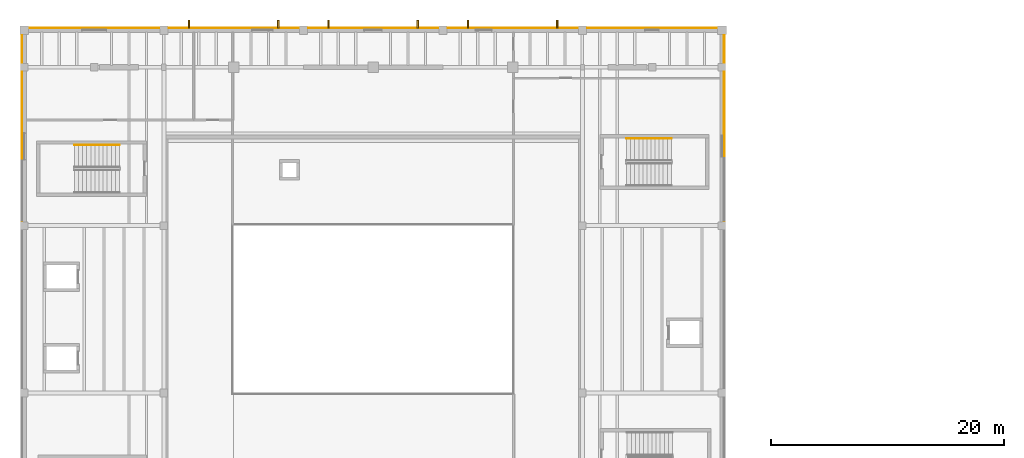
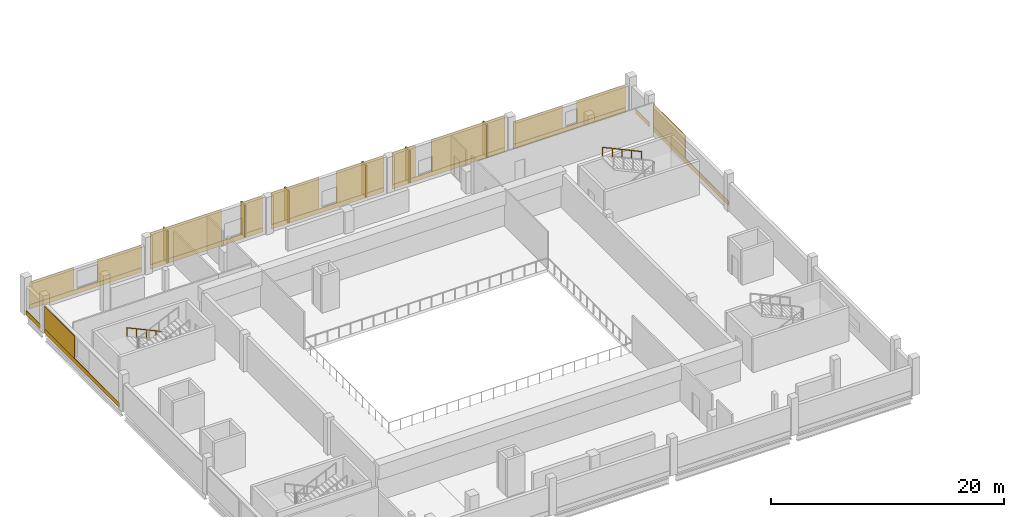
# One storey, part 17 of 19: 27 coverings, 6 shading devices, 2 railings.
"""IFC4 building model written with IfcOpenShell, lengths in metres."""

import ifcopenshell
import ifcopenshell.guid

model = None  # the IFC model being written
_history = None  # IfcOwnerHistory: only IFC2X3 demands one
_inside = {}  # id of a spatial element -> (the spatial element, [elements in it])
_under = {}  # id of a project, library or spatial element -> (it, [spatial elements below it])
_declared = {}  # id of a project -> (the project, [libraries it declares])
_typed = {}  # id of a type object -> (the type object, [elements of that type])
_made_of = {}  # id of a material, layer set ... -> (it, [elements and type objects made of it])


def new_model(schema):
    """Start an empty IFC model of exactly this schema.

    Asked for "IFC4X3", IfcOpenShell would pick the latest addendum, in which some entities
    have other attributes; the version numbers below select the first issue.
    IFC2X3 requires an IfcOwnerHistory on every rooted entity: one is made here for all.
    """
    global model, _history
    if schema == "IFC4X3":
        model = ifcopenshell.file(schema_version=(4, 3, 0, 0))
    else:
        model = ifcopenshell.file(schema=schema)
    _inside.clear()
    _under.clear()
    _declared.clear()
    _typed.clear()
    _made_of.clear()
    _history = None
    if model.schema == "IFC2X3":
        org = make("IfcOrganization", Name="unknown")
        user = make(
            "IfcPersonAndOrganization",
            ThePerson=make("IfcPerson", FamilyName="unknown"),
            TheOrganization=org,
        )
        app = make(
            "IfcApplication",
            ApplicationDeveloper=org,
            Version="unknown",
            ApplicationFullName="unknown",
            ApplicationIdentifier="unknown",
        )
        _history = make(
            "IfcOwnerHistory",
            OwningUser=user,
            OwningApplication=app,
            ChangeAction="ADDED",
            CreationDate=0,
        )
    return model


def make(cls, **values):
    """One entity of the class cls with the attributes given. An attribute that is None is left unset."""
    return model.create_entity(
        cls, **{name: value for name, value in values.items() if value is not None}
    )


def rooted(cls, **values):
    """An entity with a GlobalId (a new one), such as an element, a storey or a relation."""
    return make(cls, GlobalId=ifcopenshell.guid.new(), OwnerHistory=_history, **values)


def si_unit(unit_type, name, prefix=None):
    """IfcSIUnit, for example si_unit("LENGTHUNIT", "METRE", prefix="MILLI")."""
    return make("IfcSIUnit", UnitType=unit_type, Prefix=prefix, Name=name)


def assignment(units):
    """IfcUnitAssignment: the units of a project."""
    return None if units is None else make("IfcUnitAssignment", Units=units)


def point(xyz):
    """IfcCartesianPoint."""
    return None if xyz is None else make("IfcCartesianPoint", Coordinates=xyz)


def direction(xyz):
    """IfcDirection."""
    return None if xyz is None else make("IfcDirection", DirectionRatios=xyz)


def frame(location, z_axis=None, x_axis=None):
    """IfcAxis2Placement3D, a coordinate frame: its origin and axes. An axis left out is left unset."""
    return make(
        "IfcAxis2Placement3D",
        Location=point(location),
        Axis=direction(z_axis),
        RefDirection=direction(x_axis),
    )


def frame_2d(location, x_axis=None):
    """IfcAxis2Placement2D, a coordinate frame in the plane: its origin and x axis."""
    return make(
        "IfcAxis2Placement2D", Location=point(location), RefDirection=direction(x_axis)
    )


def origin():
    """The frame at (0, 0, 0) with its axes left unset."""
    return frame((0.0, 0.0, 0.0))


def origin_2d():
    """The frame at (0, 0) in the plane with its x axis left unset."""
    return frame_2d((0.0, 0.0))


def place(relative_to, where):
    """IfcLocalPlacement: puts the frame where relative to a parent placement (None: the world)."""
    return make(
        "IfcLocalPlacement", PlacementRelTo=relative_to, RelativePlacement=where
    )


def context(
    kind, dimensions, precision=None, world=None, true_north=None, identifier=None
):
    """IfcGeometricRepresentationContext, for example the 3D "Model" context."""
    return make(
        "IfcGeometricRepresentationContext",
        ContextIdentifier=identifier,
        ContextType=kind,
        CoordinateSpaceDimension=dimensions,
        Precision=precision,
        WorldCoordinateSystem=world,
        TrueNorth=true_north,
    )


def subcontext(parent, identifier, kind, view, scale=None):
    """IfcGeometricRepresentationSubContext, for example "Body" below "Model"."""
    return make(
        "IfcGeometricRepresentationSubContext",
        ContextIdentifier=identifier,
        ContextType=kind,
        ParentContext=parent,
        TargetScale=scale,
        TargetView=view,
    )


def project(units=None, contexts=None):
    """IfcProject with its units and contexts."""
    return rooted(
        "IfcProject",
        Name="project",
        RepresentationContexts=contexts,
        UnitsInContext=assignment(units),
    )


def spatial(cls, under=None, at=None, **own):
    """A site, building, storey or space (cls), placed at a placement, below another one or the project."""
    s = rooted(cls, ObjectPlacement=at, **own)
    if under is not None:
        _under.setdefault(under.id(), (under, []))[1].append(s)
    return s


def profile(cls, at=None, kind="AREA", **sizes):
    """A parametric profile (cls). Its sizes go by their IFC names, for example OverallWidth=200.0."""
    return make(cls, ProfileType=kind, Position=at, **sizes)


def rectangle(**sizes):
    """IfcRectangleProfileDef."""
    return profile("IfcRectangleProfileDef", **sizes)


def circle(**sizes):
    """IfcCircleProfileDef."""
    return profile("IfcCircleProfileDef", **sizes)


def extrude(swept, where, along, depth):
    """IfcExtrudedAreaSolid: the profile swept, set in the frame where, extruded along a direction by depth."""
    return make(
        "IfcExtrudedAreaSolid",
        SweptArea=swept,
        Position=where,
        ExtrudedDirection=direction(along),
        Depth=depth,
    )


def shape(context_of_items, identifier, shape_type, items):
    """IfcShapeRepresentation: the items that make up one representation, for example the "Body"."""
    return make(
        "IfcShapeRepresentation",
        ContextOfItems=context_of_items,
        RepresentationIdentifier=identifier,
        RepresentationType=shape_type,
        Items=items,
    )


def material(Name=None, Category=None):
    """IfcMaterial."""
    return make("IfcMaterial", Name=Name, Category=Category)


def layer(
    of_material, thickness, ventilated=None, Name=None, Category=None, Priority=None
):
    """IfcMaterialLayer: one layer of a wall or slab, of a material (None: an air gap)."""
    return make(
        "IfcMaterialLayer",
        Material=of_material,
        LayerThickness=thickness,
        IsVentilated=ventilated,
        Name=Name,
        Category=Category,
        Priority=Priority,
    )


def layer_set(layers, Name=None):
    """IfcMaterialLayerSet."""
    return make("IfcMaterialLayerSet", MaterialLayers=layers, LayerSetName=Name)


def made_of(thing, what):
    """Note that an element or type object is made of a material, layer set ...; save() writes the relation."""
    if what is not None:
        _made_of.setdefault(what.id(), (what, []))[1].append(thing)
    return thing


def type_object(cls, material=None, **own):
    """A type object (cls), such as IfcWallType, which elements share."""
    return made_of(rooted(cls, **own), material)


def element(
    cls,
    number,
    at=None,
    inside=None,
    cuts=None,
    type_object=None,
    material=None,
    context=None,
    identifier="Body",
    shape_type=None,
    held_by="IfcProductDefinitionShape",
    body=None,
    shapes=None,
    **own,
):
    """One element of the class cls, such as IfcWall. Its Tag is "e" and its number.

    at: its placement. inside: the storey or other place that contains it. cuts: it is an
    opening in that element (IfcRelVoidsElement). A single representation is given by context,
    identifier, shape_type and body (its items); several are given by shapes. held_by: the class
    of the entity that holds the representations. save() writes the other relations.
    """
    e = rooted(cls, Tag="e%d" % number, ObjectPlacement=at, **own)
    if body is not None:
        shapes = [shape(context, identifier, shape_type, body)]
    if shapes is not None:
        e.Representation = make(held_by, Representations=shapes)
    if inside is not None:
        _inside.setdefault(inside.id(), (inside, []))[1].append(e)
    if cuts is not None:
        rooted(
            "IfcRelVoidsElement", RelatingBuildingElement=cuts, RelatedOpeningElement=e
        )
    if type_object is not None:
        _typed.setdefault(type_object.id(), (type_object, []))[1].append(e)
    return made_of(e, material)


def aggregate(whole, parts):
    """IfcRelAggregates: a whole, such as a stair, and the parts it consists of."""
    return rooted("IfcRelAggregates", RelatingObject=whole, RelatedObjects=parts)


def save(model, path):
    """Write the relations noted so far, then the file.

    IfcRelAggregates (storeys below a building ...), IfcRelContainedInSpatialStructure (elements
    in a storey), IfcRelDefinesByType, IfcRelAssociatesMaterial and IfcRelDeclares: one each for
    every whole, place, type object, material and project.
    """
    for whole, parts in _under.values():
        aggregate(whole, parts)
    for where, things in _inside.values():
        rooted(
            "IfcRelContainedInSpatialStructure",
            RelatedElements=things,
            RelatingStructure=where,
        )
    for kind, things in _typed.values():
        rooted("IfcRelDefinesByType", RelatedObjects=things, RelatingType=kind)
    for what, things in _made_of.values():
        rooted("IfcRelAssociatesMaterial", RelatedObjects=things, RelatingMaterial=what)
    for by, libraries in _declared.values():
        rooted("IfcRelDeclares", RelatingContext=by, RelatedDefinitions=libraries)
    model.write(path)


model = new_model("IFC4")

# Units and contexts
model_context = context("Model", 3, precision=1e-05, world=origin(), true_north=direction((0.0, 1.0)))
body_context = subcontext(model_context, "Body", "Model", "MODEL_VIEW")
ifc_project = project(units=[si_unit("LENGTHUNIT", "METRE"), si_unit("AREAUNIT", "SQUARE_METRE"), si_unit("VOLUMEUNIT", "CUBIC_METRE"), si_unit("PLANEANGLEUNIT", "RADIAN"), si_unit("MASSUNIT", "GRAM", prefix="KILO")], contexts=[model_context])

# Site, building, storey
site_placement = place(None, origin())
site = spatial("IfcSite", under=ifc_project, at=site_placement, CompositionType="ELEMENT")
building_placement = place(site_placement, origin())
building = spatial("IfcBuilding", under=site, at=building_placement, Name="Kelmvaro Bay Concert Hall", CompositionType="ELEMENT")
storey_placement = place(building_placement, frame((0.0, 0.0, 18.300048828125)))
storey = spatial("IfcBuildingStorey", under=building, at=storey_placement, Name="L04", CompositionType="ELEMENT", Elevation=18.300048828125)

# Shading devices
ifc_material_1 = material(Name="Anodised Extruded Aluminium 6063-T6", Category="aluminium")
ifc_layer_1 = layer(ifc_material_1, 3.39990234375)
ifc_layer_set_1 = layer_set([ifc_layer_1], Name="Anodised Extruded Aluminium 6063-T6")
shading_device_type = type_object("IfcShadingDeviceType", Name="Bauhaus Vertical Solar Brise-Soleil Fin 720x3400", PredefinedType="SHUTTER", material=ifc_layer_set_1)
for number, where, z_axis, x_axis, name in (
    (1, (14.157958984375, 114.52587890625, 0.06005859375), (0.0, 0.0, 1.0), (1.0, 0.0, 0.0), "L04 Solar Brise-Soleil Fin 038"),
    (2, (21.842041015625, 114.52587890625, 0.06005859375), (0.0, 0.0, 1.0), (1.0, 0.0, 0.0), "L04 Solar Brise-Soleil Fin 039"),
    (3, (26.157958984375, 114.52587890625, 0.06005859375), (0.0, 0.0, 1.0), (1.0, 0.0, 0.0), "L04 Solar Brise-Soleil Fin 040"),
    (4, (33.842041015625, 114.52587890625, 0.06005859375), (0.0, 0.0, 1.0), (1.0, 0.0, 0.0), "L04 Solar Brise-Soleil Fin 041"),
    (5, (38.157958984375, 114.52587890625, 0.06005859375), (0.0, 0.0, 1.0), (1.0, 0.0, 0.0), "L04 Solar Brise-Soleil Fin 042"),
    (6, (45.842041015625, 114.52587890625, 0.06005859375), (0.0, 0.0, 1.0), (1.0, 0.0, 0.0), "L04 Solar Brise-Soleil Fin 043"),
):
    element("IfcShadingDevice", number, at=place(storey_placement, frame(where, z_axis=z_axis, x_axis=x_axis)), inside=storey, type_object=shading_device_type, Name=name, PredefinedType="SHUTTER", context=body_context, shape_type="SweptSolid", body=[
        extrude(rectangle(XDim=0.159912109375, YDim=0.719970703125, at=origin_2d()), origin(), (0.0, 0.0, 1.0), 3.39990234375),
    ])

# Coverings
ifc_material_2 = material(Name="PVDF-Coated Architectural Aluminium", Category="aluminium")
ifc_layer_2 = layer(ifc_material_2, 0.0400390625)
ifc_layer_set_2 = layer_set([ifc_layer_2], Name="PVDF-Coated Architectural Aluminium")
covering_type_1 = type_object("IfcCoveringType", Name="De Stijl Enamelled Aluminium Fascia Panel 40", PredefinedType="CLADDING", material=ifc_layer_set_2)
for number, where, z_axis, x_axis, name in (
    (7, (14.157958984375, 114.52587890625, 0.06005859375), (0.0, 0.0, 1.0), (1.0, 0.0, 0.0), "L04 Architectural Vertical Fin Cladding 0150"),
    (8, (21.842041015625, 114.52587890625, 0.06005859375), (0.0, 0.0, 1.0), (1.0, 0.0, 0.0), "L04 Architectural Vertical Fin Cladding 0151"),
    (9, (26.157958984375, 114.52587890625, 0.06005859375), (0.0, 0.0, 1.0), (1.0, 0.0, 0.0), "L04 Architectural Vertical Fin Cladding 0155"),
    (10, (33.842041015625, 114.52587890625, 0.06005859375), (0.0, 0.0, 1.0), (1.0, 0.0, 0.0), "L04 Architectural Vertical Fin Cladding 0156"),
    (11, (38.157958984375, 114.52587890625, 0.06005859375), (0.0, 0.0, 1.0), (1.0, 0.0, 0.0), "L04 Architectural Vertical Fin Cladding 0160"),
    (12, (45.842041015625, 114.52587890625, 0.06005859375), (0.0, 0.0, 1.0), (1.0, 0.0, 0.0), "L04 Architectural Vertical Fin Cladding 0161"),
):
    element("IfcCovering", number, at=place(storey_placement, frame(where, z_axis=z_axis, x_axis=x_axis)), inside=storey, type_object=covering_type_1, Name=name, PredefinedType="CLADDING", context=body_context, shape_type="SweptSolid", body=[
        extrude(rectangle(XDim=0.139892578125, YDim=0.699951171875, at=origin_2d()), origin(), (0.0, 0.0, 1.0), 3.39990234375),
    ])
ifc_material_3 = material(Name="Honed Florida Limestone Travertine", Category="masonry")
ifc_layer_3 = layer(ifc_material_3, 0.054931640625)
ifc_layer_set_3 = layer_set([ifc_layer_3], Name="Honed Florida Limestone Travertine")
covering_type_2 = type_object("IfcCoveringType", Name="Honed Florida Travertine Rainscreen Cladding 55", PredefinedType="CLADDING", material=ifc_layer_set_3)
covering_1_placement = place(storey_placement, frame((6.012451171875, 114.195556640625, 0.0400390625), z_axis=(0.0, 0.0, 1.0), x_axis=(1.0, 0.0, 0.0)))
element("IfcCovering", 13, at=covering_1_placement, inside=storey, type_object=covering_type_2, Name="L04 Travertine Sill Band 0146", PredefinedType="CLADDING", context=body_context, shape_type="SweptSolid", body=[
    extrude(rectangle(XDim=11.155029296875, YDim=0.054931640625, at=origin_2d()), origin(), (0.0, 0.0, 1.0), 0.4599609375),
])
for number, where, z_axis, x_axis, name in (
    (14, (2.65869140625, 114.195556640625, 0.519775390625), (0.0, 0.0, 1.0), (1.0, 0.0, 0.0), "L04 Travertine Pier Panel 0147"),
    (15, (9.3662109375, 114.195556640625, 0.519775390625), (0.0, 0.0, 1.0), (1.0, 0.0, 0.0), "L04 Travertine Pier Panel 0148"),
):
    element("IfcCovering", number, at=place(storey_placement, frame(where, z_axis=z_axis, x_axis=x_axis)), inside=storey, type_object=covering_type_2, Name=name, PredefinedType="CLADDING", context=body_context, shape_type="SweptSolid", body=[
        extrude(rectangle(XDim=4.407958984375, YDim=0.054931640625, at=origin_2d()), origin(), (0.0, 0.0, 1.0), 2.34912109375),
    ])
covering_2_placement = place(storey_placement, frame((18.0, 114.195556640625, 0.0400390625), z_axis=(0.0, 0.0, 1.0), x_axis=(1.0, 0.0, 0.0)))
element("IfcCovering", 16, at=covering_2_placement, inside=storey, type_object=covering_type_2, Name="L04 Travertine Sill Band 0149", PredefinedType="CLADDING", context=body_context, shape_type="SweptSolid", body=[
    extrude(rectangle(XDim=11.179931640625, YDim=0.054931640625, at=origin_2d()), origin(), (0.0, 0.0, 1.0), 0.4599609375),
])
covering_3_placement = place(storey_placement, frame((15.9580078125, 114.195556640625, 0.52001953125), z_axis=(0.0, 0.0, 1.0), x_axis=(1.0, 0.0, 0.0)))
element("IfcCovering", 17, at=covering_3_placement, inside=storey, type_object=covering_type_2, Name="L04 Travertine Pier Panel 0152", PredefinedType="CLADDING", context=body_context, shape_type="SweptSolid", body=[
    extrude(rectangle(XDim=7.055908203125, YDim=0.054931640625, at=origin_2d()), origin(), (0.0, 0.0, 1.0), 3.320068359375),
])
covering_4_placement = place(storey_placement, frame((22.528076171875, 114.195556640625, 0.52001953125), z_axis=(0.0, 0.0, 1.0), x_axis=(1.0, 0.0, 0.0)))
element("IfcCovering", 18, at=covering_4_placement, inside=storey, type_object=covering_type_2, Name="L04 Travertine Pier Panel 0153", PredefinedType="CLADDING", context=body_context, shape_type="SweptSolid", body=[
    extrude(rectangle(XDim=2.083984375, YDim=0.054931640625, at=origin_2d()), origin(), (0.0, 0.0, 1.0), 3.320068359375),
])
covering_5_placement = place(storey_placement, frame((30.0, 114.195556640625, 0.0400390625), z_axis=(0.0, 0.0, 1.0), x_axis=(1.0, 0.0, 0.0)))
element("IfcCovering", 19, at=covering_5_placement, inside=storey, type_object=covering_type_2, Name="L04 Travertine Sill Band 0154", PredefinedType="CLADDING", context=body_context, shape_type="SweptSolid", body=[
    extrude(rectangle(XDim=11.179931640625, YDim=0.054931640625, at=origin_2d()), origin(), (0.0, 0.0, 1.0), 0.4599609375),
])
for number, where, z_axis, x_axis, name in (
    (20, (26.7900390625, 114.195556640625, 0.52001953125), (0.0, 0.0, 1.0), (1.0, 0.0, 0.0), "L04 Travertine Pier Panel 0157"),
    (21, (33.2099609375, 114.195556640625, 0.52001953125), (0.0, 0.0, 1.0), (1.0, 0.0, 0.0), "L04 Travertine Pier Panel 0158"),
):
    element("IfcCovering", number, at=place(storey_placement, frame(where, z_axis=z_axis, x_axis=x_axis)), inside=storey, type_object=covering_type_2, Name=name, PredefinedType="CLADDING", context=body_context, shape_type="SweptSolid", body=[
        extrude(rectangle(XDim=4.719970703125, YDim=0.054931640625, at=origin_2d()), origin(), (0.0, 0.0, 1.0), 3.320068359375),
    ])
covering_6_placement = place(storey_placement, frame((42.0, 114.195556640625, 0.0400390625), z_axis=(0.0, 0.0, 1.0), x_axis=(1.0, 0.0, 0.0)))
element("IfcCovering", 22, at=covering_6_placement, inside=storey, type_object=covering_type_2, Name="L04 Travertine Sill Band 0159", PredefinedType="CLADDING", context=body_context, shape_type="SweptSolid", body=[
    extrude(rectangle(XDim=11.179931640625, YDim=0.054931640625, at=origin_2d()), origin(), (0.0, 0.0, 1.0), 0.4599609375),
])
covering_7_placement = place(storey_placement, frame((37.58447265625, 114.195556640625, 0.52001953125), z_axis=(0.0, 0.0, 1.0), x_axis=(1.0, 0.0, 0.0)))
element("IfcCovering", 23, at=covering_7_placement, inside=storey, type_object=covering_type_2, Name="L04 Travertine Pier Panel 0162", PredefinedType="CLADDING", context=body_context, shape_type="SweptSolid", body=[
    extrude(rectangle(XDim=2.30908203125, YDim=0.054931640625, at=origin_2d()), origin(), (0.0, 0.0, 1.0), 3.320068359375),
])
covering_8_placement = place(storey_placement, frame((43.929443359375, 114.195556640625, 0.52001953125), z_axis=(0.0, 0.0, 1.0), x_axis=(1.0, 0.0, 0.0)))
element("IfcCovering", 24, at=covering_8_placement, inside=storey, type_object=covering_type_2, Name="L04 Travertine Pier Panel 0163", PredefinedType="CLADDING", context=body_context, shape_type="SweptSolid", body=[
    extrude(rectangle(XDim=7.281005859375, YDim=0.054931640625, at=origin_2d()), origin(), (0.0, 0.0, 1.0), 3.320068359375),
])
covering_9_placement = place(storey_placement, frame((53.987548828125, 114.195556640625, 0.0400390625), z_axis=(0.0, 0.0, 1.0), x_axis=(1.0, 0.0, 0.0)))
element("IfcCovering", 25, at=covering_9_placement, inside=storey, type_object=covering_type_2, Name="L04 Travertine Sill Band 0164", PredefinedType="CLADDING", context=body_context, shape_type="SweptSolid", body=[
    extrude(rectangle(XDim=11.155029296875, YDim=0.054931640625, at=origin_2d()), origin(), (0.0, 0.0, 1.0), 0.4599609375),
])
covering_10_placement = place(storey_placement, frame((50.85888671875, 114.195556640625, 0.519775390625), z_axis=(0.0, 0.0, 1.0), x_axis=(1.0, 0.0, 0.0)))
element("IfcCovering", 26, at=covering_10_placement, inside=storey, type_object=covering_type_2, Name="L04 Travertine Pier Panel 0165", PredefinedType="CLADDING", context=body_context, shape_type="SweptSolid", body=[
    extrude(rectangle(XDim=4.85693359375, YDim=0.054931640625, at=origin_2d()), origin(), (0.0, 0.0, 1.0), 2.34912109375),
])
covering_11_placement = place(storey_placement, frame((57.1162109375, 114.195556640625, 0.519775390625), z_axis=(0.0, 0.0, 1.0), x_axis=(1.0, 0.0, 0.0)))
element("IfcCovering", 27, at=covering_11_placement, inside=storey, type_object=covering_type_2, Name="L04 Travertine Pier Panel 0166", PredefinedType="CLADDING", context=body_context, shape_type="SweptSolid", body=[
    extrude(rectangle(XDim=4.85791015625, YDim=0.054931640625, at=origin_2d()), origin(), (0.0, 0.0, 1.0), 2.34912109375),
])
covering_12_placement = place(storey_placement, frame((-0.20556640625, 104.010009765625, 0.0400390625), z_axis=(0.0, 0.0, 1.0), x_axis=(0.0, 1.0, 0.0)))
element("IfcCovering", 28, at=covering_12_placement, inside=storey, type_object=covering_type_2, Name="L04 Travertine Sill Band 0172", PredefinedType="CLADDING", context=body_context, shape_type="SweptSolid", body=[
    extrude(rectangle(XDim=12.85009765625, YDim=0.054931640625, at=origin_2d()), origin(), (0.0, 0.0, 1.0), 0.4599609375),
])
covering_13_placement = place(storey_placement, frame((-0.20556640625, 107.824951171875, 0.52001953125), z_axis=(0.0, 0.0, 1.0), x_axis=(0.0, 1.0, 0.0)))
element("IfcCovering", 29, at=covering_13_placement, inside=storey, type_object=covering_type_2, Name="L04 Travertine Pier Panel 0174", PredefinedType="CLADDING", context=body_context, shape_type="SweptSolid", body=[
    extrude(rectangle(XDim=5.179931640625, YDim=0.054931640625, at=origin_2d()), origin(), (0.0, 0.0, 1.0), 2.35009765625),
])
for number, where, z_axis, x_axis, name in (
    (30, (-0.20556640625, 112.385009765625, 0.0400390625), (0.0, 0.0, 1.0), (0.0, 1.0, 0.0), "L04 Travertine Sill Band 0175"),
    (31, (60.195556640625, 112.385009765625, 0.0400390625), (0.0, 0.0, 1.0), (0.0, -1.0, 0.0), "L04 Travertine Sill Band 0181"),
):
    element("IfcCovering", number, at=place(storey_placement, frame(where, z_axis=z_axis, x_axis=x_axis)), inside=storey, type_object=covering_type_2, Name=name, PredefinedType="CLADDING", context=body_context, shape_type="SweptSolid", body=[
        extrude(rectangle(XDim=2.360107421875, YDim=0.054931640625, at=origin_2d()), origin(), (0.0, 0.0, 1.0), 0.4599609375),
    ])
covering_14_placement = place(storey_placement, frame((60.195556640625, 104.010009765625, 0.0400390625), z_axis=(0.0, 0.0, 1.0), x_axis=(0.0, -1.0, 0.0)))
element("IfcCovering", 32, at=covering_14_placement, inside=storey, type_object=covering_type_2, Name="L04 Travertine Sill Band 0182", PredefinedType="CLADDING", context=body_context, shape_type="SweptSolid", body=[
    extrude(rectangle(XDim=12.85009765625, YDim=0.054931640625, at=origin_2d()), origin(), (0.0, 0.0, 1.0), 0.4599609375),
])
covering_15_placement = place(storey_placement, frame((60.195556640625, 107.71240234375, 0.52001953125), z_axis=(0.0, 0.0, 1.0), x_axis=(0.0, -1.0, 0.0)))
element("IfcCovering", 33, at=covering_15_placement, inside=storey, type_object=covering_type_2, Name="L04 Travertine Pier Panel 0183", PredefinedType="CLADDING", context=body_context, shape_type="SweptSolid", body=[
    extrude(rectangle(XDim=5.405029296875, YDim=0.054931640625, at=origin_2d()), origin(), (0.0, 0.0, 1.0), 2.35009765625),
])

# Railings
ifc_material_4 = material(Name="Brushed Stainless Steel 316", Category="steel")
railing_type = type_object("IfcRailingType", Name="Stair Stainless Wall Handrail 900", PredefinedType="HANDRAIL", material=ifc_material_4)
railing_1_placement = place(storey_placement, frame((55.64990234375, 104.699951171875, 2.112548828125)))
element("IfcRailing", 34, at=railing_1_placement, inside=storey, type_object=railing_type, Name="L04 ST-02 stair handrail 2", PredefinedType="HANDRAIL", context=body_context, shape_type="SweptSolid", body=[
    extrude(circle(Radius=0.02392578125, at=origin_2d()), frame((0.0, 0.0, 0.8759765625), z_axis=(-0.907016029232, 0.0, 0.421096096772), x_axis=(0.0, -1.0, 0.0)), (0.0, 0.0, 1.0), 4.24462890625),
    extrude(circle(Radius=0.02099609375, at=origin_2d()), origin(), (0.0, 0.0, 1.0), 0.851806640625),
    extrude(circle(Radius=0.02099609375, at=origin_2d()), frame((-0.96240234375, 0.0, 0.44677734375)), (0.0, 0.0, 1.0), 0.851806640625),
    extrude(circle(Radius=0.02099609375, at=origin_2d()), frame((-1.9248046875, 0.0, 0.8935546875)), (0.0, 0.0, 1.0), 0.851806640625),
    extrude(circle(Radius=0.02099609375, at=origin_2d()), frame((-2.887451171875, 0.0, 1.340576171875)), (0.0, 0.0, 1.0), 0.851806640625),
    extrude(circle(Radius=0.02099609375, at=origin_2d()), frame((-3.849853515625, 0.0, 1.787353515625)), (0.0, 0.0, 1.0), 0.851806640625),
])
railing_2_placement = place(storey_placement, frame((8.179931640625, 104.14990234375, 0.162353515625)))
element("IfcRailing", 35, at=railing_2_placement, inside=storey, type_object=railing_type, Name="L04 ST-03 stair handrail 1", PredefinedType="HANDRAIL", context=body_context, shape_type="SweptSolid", body=[
    extrude(circle(Radius=0.02392578125, at=origin_2d()), frame((0.0, 0.0, 0.8759765625), z_axis=(-0.907905758855, 0.0, 0.419174346827), x_axis=(0.0, -1.0, 0.0)), (0.0, 0.0, 1.0), 4.2646484375),
    extrude(circle(Radius=0.02099609375, at=origin_2d()), origin(), (0.0, 0.0, 1.0), 0.851806640625),
    extrude(circle(Radius=0.02099609375, at=origin_2d()), frame((-0.968017578125, 0.0, 0.44677734375)), (0.0, 0.0, 1.0), 0.851806640625),
    extrude(circle(Radius=0.02099609375, at=origin_2d()), frame((-1.93603515625, 0.0, 0.893798828125)), (0.0, 0.0, 1.0), 0.851806640625),
    extrude(circle(Radius=0.02099609375, at=origin_2d()), frame((-2.90380859375, 0.0, 1.3408203125)), (0.0, 0.0, 1.0), 0.851806640625),
    extrude(circle(Radius=0.02099609375, at=origin_2d()), frame((-3.871826171875, 0.0, 1.78759765625)), (0.0, 0.0, 1.0), 0.851806640625),
])

save(model, "model.ifc")
